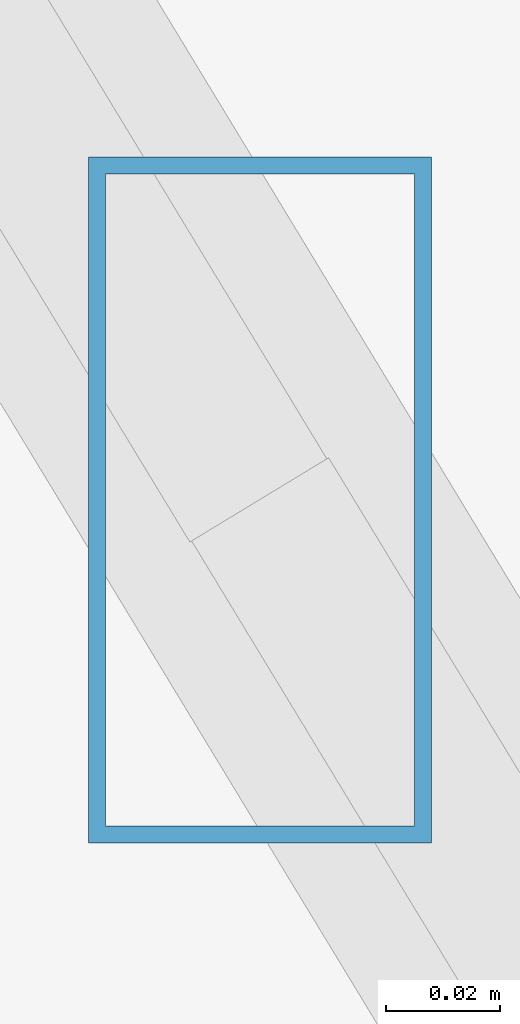
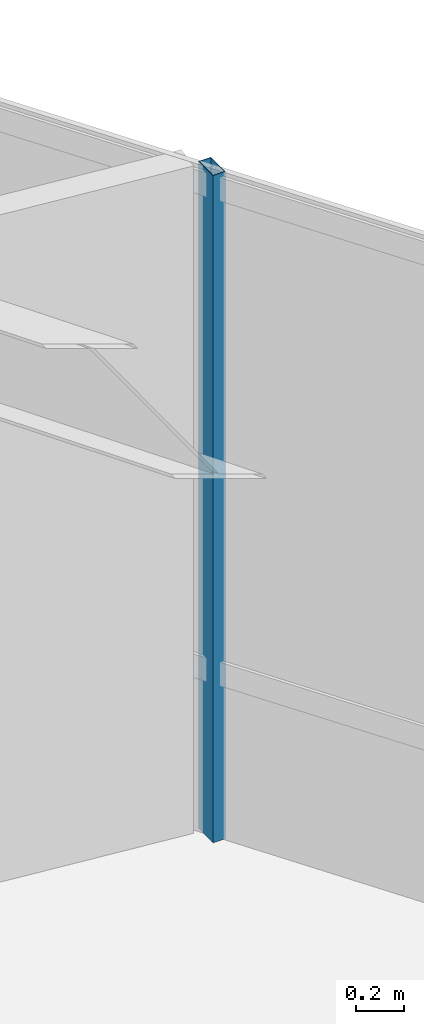
# One storey, part 25 of 47: 1 member, 1 element without a shape of its own.
"""IFC4 building model written with IfcOpenShell, lengths in metres."""

from ifc_helpers import new_model, si_unit, direction, frame, origin, origin_2d, place, context, subcontext, project, spatial, hollow_rectangle, extrude, source, transform, mapped, material, material_profile, profile_set, type_object, type_shapes, element, aggregate, save


model = new_model("IFC4")

# Units and contexts
model_context = context("Model", 3, precision=1e-05, world=origin(), true_north=direction((0.0, 1.0)))
body_context = subcontext(model_context, "Body", "Model", "MODEL_VIEW")
ifc_project = project(units=[si_unit("LENGTHUNIT", "METRE"), si_unit("AREAUNIT", "SQUARE_METRE"), si_unit("VOLUMEUNIT", "CUBIC_METRE"), si_unit("PLANEANGLEUNIT", "RADIAN"), si_unit("MASSUNIT", "GRAM", prefix="KILO")], contexts=[model_context])

# Site, building, storey
site_placement = place(None, origin())
site = spatial("IfcSite", under=ifc_project, at=site_placement, CompositionType="ELEMENT")
building_placement = place(site_placement, origin())
building = spatial("IfcBuilding", under=site, at=building_placement, Name="Caelisora Broadcast Tower", CompositionType="ELEMENT")
storey_placement = place(building_placement, frame((0.0, 0.0, 248.10009765625)))
storey = spatial("IfcBuildingStorey", under=building, at=storey_placement, Name="L65", CompositionType="ELEMENT", Elevation=248.10009765625)

# Curtain wall, member
ifc_material_1 = material(Name="Unitised Aluminium and Low-E Glass Curtain Wall", Category="glass")
curtain_wall_type = type_object("IfcCurtainWallType", Name="CW-Z5", PredefinedType="NOTDEFINED", material=ifc_material_1)
curtain_wall_placement = place(storey_placement, origin())
curtain_wall = element("IfcCurtainWall", 1, at=curtain_wall_placement, inside=storey, type_object=curtain_wall_type, Name="L65 curtain wall CW-Z5", PredefinedType="NOTDEFINED")
ifc_material_2 = material(Name="Aluminium 6063-T6 Anodised Terracotta Bronze", Category="aluminium")
ifc_material_profile = material_profile(ifc_material_2, hollow_rectangle(XDim=0.06005859375, YDim=0.1201171875, WallThickness=0.0029296875, at=origin_2d()), Name="Aluminium 6063-T6 Anodised Terracotta Bronze")
ifc_profile_set = profile_set([ifc_material_profile], Name="Aluminium 6063-T6 Anodised Terracotta Bronze")
member_type = type_object("IfcMemberType", Name="CWM-04", PredefinedType="MULLION", material=ifc_profile_set)
shared_shape = source(origin(), body_context, "Body", "SweptSolid", [
    extrude(hollow_rectangle(XDim=0.06005859375, YDim=0.1201171875, WallThickness=0.0029296875, at=origin_2d()), origin(), (0.0, 0.0, 1.0), 3.39990234375),
])
type_shapes(member_type, [shared_shape])
member_placement = place(storey_placement, frame((57.9541015625, 21.71728515625, 0.0), z_axis=(0.0, 0.0, 1.0), x_axis=(1.0, 0.0, 0.0)))
member = element("IfcMember", 2, at=member_placement, type_object=member_type, Name="L65-CW-B03 mullion #1", PredefinedType="MULLION", context=body_context, shape_type="MappedRepresentation", body=[
    mapped(shared_shape, transform((0.0, 0.0, 0.0), scale=1.0)),
])
aggregate(curtain_wall, [member])

save(model, "model.ifc")
